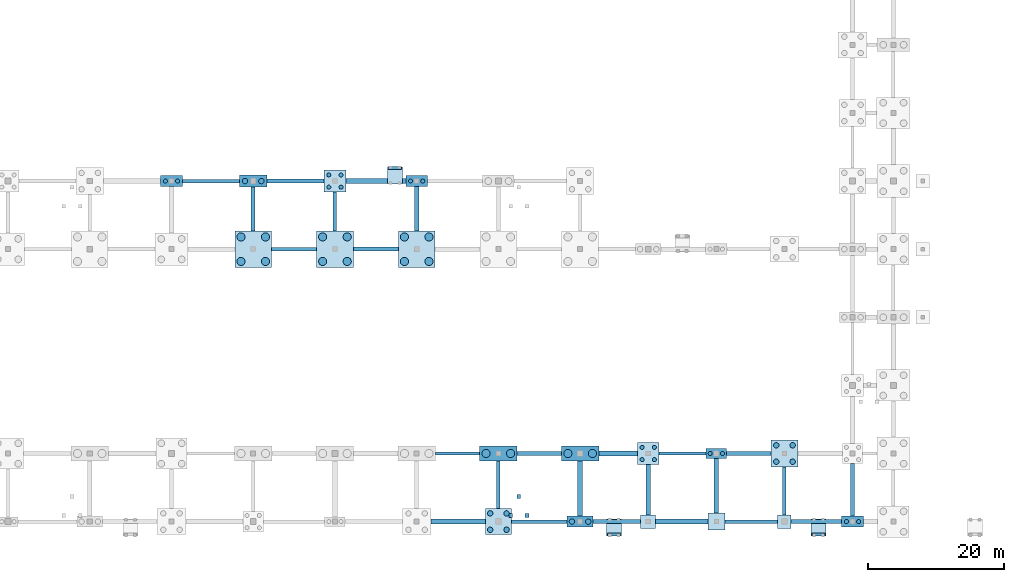
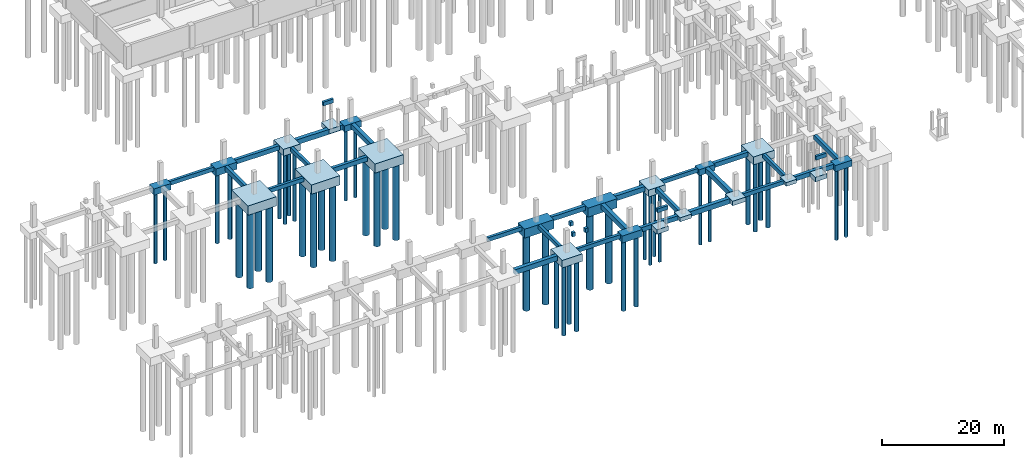
# One storey, part 2 of 19: 52 footings, 44 piles.
"""IFC4 building model written with IfcOpenShell, lengths in metres."""

from ifc_helpers import new_model, si_unit, direction, frame, origin, origin_2d, place, context, subcontext, project, spatial, polyline, rectangle, circle, outline, extrude, material, material_profile, profile_set, type_object, element, save


model = new_model("IFC4")

# Units and contexts
model_context = context("Model", 3, precision=1e-05, world=origin(), true_north=direction((0.0, 1.0)))
body_context = subcontext(model_context, "Body", "Model", "MODEL_VIEW")
ifc_project = project(units=[si_unit("LENGTHUNIT", "METRE"), si_unit("AREAUNIT", "SQUARE_METRE"), si_unit("VOLUMEUNIT", "CUBIC_METRE"), si_unit("PLANEANGLEUNIT", "RADIAN"), si_unit("MASSUNIT", "GRAM", prefix="KILO")], contexts=[model_context])

# Site, building, storey
site_placement = place(None, origin())
site = spatial("IfcSite", under=ifc_project, at=site_placement, CompositionType="ELEMENT")
building_placement = place(site_placement, origin())
building = spatial("IfcBuilding", under=site, at=building_placement, Name="Mersad Railyard Sports Hall", CompositionType="ELEMENT")
storey_placement = place(building_placement, frame((0.0, 0.0, -4.5)))
storey = spatial("IfcBuildingStorey", under=building, at=storey_placement, Name="B1", CompositionType="ELEMENT", Elevation=-4.5)

# Footings
ifc_material = material(Name="Concrete C40/50", Category="concrete")
footing_type_1 = type_object("IfcFootingType", Name="STR-FT-FB01", PredefinedType="FOOTING_BEAM", material=ifc_material)
footing_1_placement = place(storey_placement, frame((0.0, 0.0, -0.800048828125)))
element("IfcFooting", 1, at=footing_1_placement, inside=storey, type_object=footing_type_1, Name="Ground beam FB01-0007", PredefinedType="FOOTING_BEAM", context=body_context, shape_type="SweptSolid", body=[
    extrude(outline(polyline([(80.89990234375, 3.25), (89.10009765625, 3.25), (89.10009765625, 3.75), (80.89990234375, 3.75), (80.89990234375, 3.25)])), origin(), (0.0, 0.0, 1.0), 0.800048828125),
])
footing_2_placement = place(storey_placement, frame((0.0, 0.0, -0.800048828125)))
element("IfcFooting", 2, at=footing_2_placement, inside=storey, type_object=footing_type_1, Name="Ground beam FB01-0010", PredefinedType="FOOTING_BEAM", context=body_context, shape_type="SweptSolid", body=[
    extrude(outline(polyline([(112.25, 3.25), (120.0, 3.25), (120.0, 3.75), (112.25, 3.75), (112.25, 3.25)])), origin(), (0.0, 0.0, 1.0), 0.800048828125),
])
footing_3_placement = place(storey_placement, frame((0.0, 0.0, -0.800048828125)))
element("IfcFooting", 3, at=footing_3_placement, inside=storey, type_object=footing_type_1, Name="Ground beam FB01-0019", PredefinedType="FOOTING_BEAM", context=body_context, shape_type="SweptSolid", body=[
    extrude(outline(polyline([(69.75, 13.25), (76.25, 13.25), (76.25, 13.75), (69.75, 13.75), (69.75, 13.25)])), origin(), (0.0, 0.0, 1.0), 0.800048828125),
])
footing_4_placement = place(storey_placement, frame((0.0, 0.0, -0.800048828125)))
element("IfcFooting", 4, at=footing_4_placement, inside=storey, type_object=footing_type_1, Name="Ground beam FB01-0022", PredefinedType="FOOTING_BEAM", context=body_context, shape_type="SweptSolid", body=[
    extrude(outline(polyline([(102.60009765625, 13.25), (109.5, 13.25), (109.5, 13.75), (102.60009765625, 13.75), (102.60009765625, 13.25)])), origin(), (0.0, 0.0, 1.0), 0.800048828125),
])
footing_5_placement = place(storey_placement, frame((0.0, 0.0, -0.800048828125)))
element("IfcFooting", 5, at=footing_5_placement, inside=storey, type_object=footing_type_1, Name="Ground beam FB01-0034", PredefinedType="FOOTING_BEAM", context=body_context, shape_type="SweptSolid", body=[
    extrude(outline(polyline([(45.699951171875, 43.25), (52.300048828125, 43.25), (52.300048828125, 43.75), (45.699951171875, 43.75), (45.699951171875, 43.25)])), origin(), (0.0, 0.0, 1.0), 0.800048828125),
])
footing_6_placement = place(storey_placement, frame((0.0, 0.0, -0.800048828125)))
element("IfcFooting", 6, at=footing_6_placement, inside=storey, type_object=footing_type_1, Name="Ground beam FB01-0046", PredefinedType="FOOTING_BEAM", context=body_context, shape_type="SweptSolid", body=[
    extrude(outline(polyline([(32.60009765625, 53.25), (41.0, 53.25), (41.0, 53.75), (32.60009765625, 53.75), (32.60009765625, 53.25)])), origin(), (0.0, 0.0, 1.0), 0.800048828125),
])
footing_7_placement = place(storey_placement, frame((0.0, 0.0, -0.800048828125)))
element("IfcFooting", 7, at=footing_7_placement, inside=storey, type_object=footing_type_1, Name="Ground beam FB01-0118", PredefinedType="FOOTING_BEAM", context=body_context, shape_type="SweptSolid", body=[
    extrude(outline(polyline([(54.75, 46.199951171875), (55.25, 46.199951171875), (55.25, 51.89990234375), (54.75, 51.89990234375), (54.75, 46.199951171875)])), origin(), (0.0, 0.0, 1.0), 0.800048828125),
])
footing_8_placement = place(storey_placement, frame((0.0, 0.0, -0.800048828125)))
element("IfcFooting", 8, at=footing_8_placement, inside=storey, type_object=footing_type_1, Name="Ground beam FB01-0127", PredefinedType="FOOTING_BEAM", context=body_context, shape_type="SweptSolid", body=[
    extrude(outline(polyline([(78.75, 5.39990234375), (79.25, 5.39990234375), (79.25, 12.39990234375), (78.75, 12.39990234375), (78.75, 5.39990234375)])), origin(), (0.0, 0.0, 1.0), 0.800048828125),
])
footing_9_placement = place(storey_placement, frame((0.0, 0.0, -0.800048828125)))
element("IfcFooting", 9, at=footing_9_placement, inside=storey, type_object=footing_type_1, Name="Ground beam FB01-0145", PredefinedType="FOOTING_BEAM", context=body_context, shape_type="SweptSolid", body=[
    extrude(outline(polyline([(120.75, 4.5), (121.25, 4.5), (121.25, 11.5), (120.75, 11.5), (120.75, 4.5)])), origin(), (0.0, 0.0, 1.0), 0.800048828125),
])
footing_type_2 = type_object("IfcFootingType", Name="STR-FT-FB02", PredefinedType="FOOTING_BEAM", material=ifc_material)
footing_10_placement = place(storey_placement, frame((0.0, 0.0, -0.89990234375)))
element("IfcFooting", 10, at=footing_10_placement, inside=storey, type_object=footing_type_2, Name="Ground beam FB02-0008", PredefinedType="FOOTING_BEAM", context=body_context, shape_type="SweptSolid", body=[
    extrude(outline(polyline([(92.89990234375, 3.199951171875), (99.89990234375, 3.199951171875), (99.89990234375, 3.800048828125), (92.89990234375, 3.800048828125), (92.89990234375, 3.199951171875)])), origin(), (0.0, 0.0, 1.0), 0.89990234375),
])
footing_11_placement = place(storey_placement, frame((0.0, 0.0, -0.89990234375)))
element("IfcFooting", 11, at=footing_11_placement, inside=storey, type_object=footing_type_2, Name="Ground beam FB02-0011", PredefinedType="FOOTING_BEAM", context=body_context, shape_type="SweptSolid", body=[
    extrude(outline(polyline([(122.0, 3.199951171875), (129.39990234375, 3.199951171875), (129.39990234375, 3.800048828125), (122.0, 3.800048828125), (122.0, 3.199951171875)])), origin(), (0.0, 0.0, 1.0), 0.89990234375),
])
footing_12_placement = place(storey_placement, frame((0.0, 0.0, -0.89990234375)))
element("IfcFooting", 12, at=footing_12_placement, inside=storey, type_object=footing_type_2, Name="Ground beam FB02-0020", PredefinedType="FOOTING_BEAM", context=body_context, shape_type="SweptSolid", body=[
    extrude(outline(polyline([(81.75, 13.199951171875), (88.25, 13.199951171875), (88.25, 13.800048828125), (81.75, 13.800048828125), (81.75, 13.199951171875)])), origin(), (0.0, 0.0, 1.0), 0.89990234375),
])
footing_13_placement = place(storey_placement, frame((0.0, 0.0, -0.89990234375)))
element("IfcFooting", 13, at=footing_13_placement, inside=storey, type_object=footing_type_2, Name="Ground beam FB02-0023", PredefinedType="FOOTING_BEAM", context=body_context, shape_type="SweptSolid", body=[
    extrude(outline(polyline([(112.5, 13.199951171875), (119.0, 13.199951171875), (119.0, 13.800048828125), (112.5, 13.800048828125), (112.5, 13.199951171875)])), origin(), (0.0, 0.0, 1.0), 0.89990234375),
])
footing_14_placement = place(storey_placement, frame((0.0, 0.0, -0.89990234375)))
element("IfcFooting", 14, at=footing_14_placement, inside=storey, type_object=footing_type_2, Name="Ground beam FB02-0035", PredefinedType="FOOTING_BEAM", context=body_context, shape_type="SweptSolid", body=[
    extrude(outline(polyline([(57.699951171875, 43.199951171875), (64.300048828125, 43.199951171875), (64.300048828125, 43.800048828125), (57.699951171875, 43.800048828125), (57.699951171875, 43.199951171875)])), origin(), (0.0, 0.0, 1.0), 0.89990234375),
])
footing_15_placement = place(storey_placement, frame((0.0, 0.0, -0.89990234375)))
element("IfcFooting", 15, at=footing_15_placement, inside=storey, type_object=footing_type_2, Name="Ground beam FB02-0047", PredefinedType="FOOTING_BEAM", context=body_context, shape_type="SweptSolid", body=[
    extrude(outline(polyline([(45.0, 53.199951171875), (53.39990234375, 53.199951171875), (53.39990234375, 53.800048828125), (45.0, 53.800048828125), (45.0, 53.199951171875)])), origin(), (0.0, 0.0, 1.0), 0.89990234375),
])
footing_16_placement = place(storey_placement, frame((0.0, 0.0, -0.89990234375)))
element("IfcFooting", 16, at=footing_16_placement, inside=storey, type_object=footing_type_2, Name="Ground beam FB02-0113", PredefinedType="FOOTING_BEAM", context=body_context, shape_type="SweptSolid", body=[
    extrude(outline(polyline([(42.699951171875, 46.199951171875), (43.300048828125, 46.199951171875), (43.300048828125, 52.60009765625), (42.699951171875, 52.60009765625), (42.699951171875, 46.199951171875)])), origin(), (0.0, 0.0, 1.0), 0.89990234375),
])
footing_17_placement = place(storey_placement, frame((0.0, 0.0, -0.89990234375)))
element("IfcFooting", 17, at=footing_17_placement, inside=storey, type_object=footing_type_2, Name="Ground beam FB02-0137", PredefinedType="FOOTING_BEAM", context=body_context, shape_type="SweptSolid", body=[
    extrude(outline(polyline([(100.699951171875, 4.5), (101.300048828125, 4.5), (101.300048828125, 11.89990234375), (100.699951171875, 11.89990234375), (100.699951171875, 4.5)])), origin(), (0.0, 0.0, 1.0), 0.89990234375),
])
footing_18_placement = place(storey_placement, frame((0.0, 0.0, -0.89990234375)))
element("IfcFooting", 18, at=footing_18_placement, inside=storey, type_object=footing_type_2, Name="Ground beam FB02-0149", PredefinedType="FOOTING_BEAM", context=body_context, shape_type="SweptSolid", body=[
    extrude(outline(polyline([(130.699951171875, 4.300048828125), (131.300048828125, 4.300048828125), (131.300048828125, 12.0), (130.699951171875, 12.0), (130.699951171875, 4.300048828125)])), origin(), (0.0, 0.0, 1.0), 0.89990234375),
])
footing_type_3 = type_object("IfcFootingType", Name="STR-FT-FB03", PredefinedType="FOOTING_BEAM", material=ifc_material)
footing_19_placement = place(storey_placement, frame((0.0, 0.0, -1.0)))
element("IfcFooting", 19, at=footing_19_placement, inside=storey, type_object=footing_type_3, Name="Ground beam FB03-0006", PredefinedType="FOOTING_BEAM", context=body_context, shape_type="SweptSolid", body=[
    extrude(outline(polyline([(69.10009765625, 3.14990234375), (77.10009765625, 3.14990234375), (77.10009765625, 3.85009765625), (69.10009765625, 3.85009765625), (69.10009765625, 3.14990234375)])), origin(), (0.0, 0.0, 1.0), 1.0),
])
footing_20_placement = place(storey_placement, frame((0.0, 0.0, -1.0)))
element("IfcFooting", 20, at=footing_20_placement, inside=storey, type_object=footing_type_3, Name="Ground beam FB03-0009", PredefinedType="FOOTING_BEAM", context=body_context, shape_type="SweptSolid", body=[
    extrude(outline(polyline([(102.10009765625, 3.14990234375), (109.75, 3.14990234375), (109.75, 3.85009765625), (102.10009765625, 3.85009765625), (102.10009765625, 3.14990234375)])), origin(), (0.0, 0.0, 1.0), 1.0),
])
footing_21_placement = place(storey_placement, frame((0.0, 0.0, -1.0)))
element("IfcFooting", 21, at=footing_21_placement, inside=storey, type_object=footing_type_3, Name="Ground beam FB03-0021", PredefinedType="FOOTING_BEAM", context=body_context, shape_type="SweptSolid", body=[
    extrude(outline(polyline([(93.75, 13.14990234375), (99.39990234375, 13.14990234375), (99.39990234375, 13.85009765625), (93.75, 13.85009765625), (93.75, 13.14990234375)])), origin(), (0.0, 0.0, 1.0), 1.0),
])
footing_22_placement = place(storey_placement, frame((0.0, 0.0, -1.0)))
element("IfcFooting", 22, at=footing_22_placement, inside=storey, type_object=footing_type_3, Name="Ground beam FB03-0048", PredefinedType="FOOTING_BEAM", context=body_context, shape_type="SweptSolid", body=[
    extrude(outline(polyline([(56.60009765625, 53.14990234375), (65.39990234375, 53.14990234375), (65.39990234375, 53.85009765625), (56.60009765625, 53.85009765625), (56.60009765625, 53.14990234375)])), origin(), (0.0, 0.0, 1.0), 1.0),
])
footing_23_placement = place(storey_placement, frame((0.0, 0.0, -1.0)))
element("IfcFooting", 23, at=footing_23_placement, inside=storey, type_object=footing_type_3, Name="Ground beam FB03-0123", PredefinedType="FOOTING_BEAM", context=body_context, shape_type="SweptSolid", body=[
    extrude(outline(polyline([(66.64990234375, 46.199951171875), (67.35009765625, 46.199951171875), (67.35009765625, 52.699951171875), (66.64990234375, 52.699951171875), (66.64990234375, 46.199951171875)])), origin(), (0.0, 0.0, 1.0), 1.0),
])
footing_24_placement = place(storey_placement, frame((0.0, 0.0, -1.0)))
element("IfcFooting", 24, at=footing_24_placement, inside=storey, type_object=footing_type_3, Name="Ground beam FB03-0132", PredefinedType="FOOTING_BEAM", context=body_context, shape_type="SweptSolid", body=[
    extrude(outline(polyline([(90.64990234375, 4.300048828125), (91.35009765625, 4.300048828125), (91.35009765625, 12.39990234375), (90.64990234375, 12.39990234375), (90.64990234375, 4.300048828125)])), origin(), (0.0, 0.0, 1.0), 1.0),
])
footing_25_placement = place(storey_placement, frame((0.0, 0.0, -1.0)))
element("IfcFooting", 25, at=footing_25_placement, inside=storey, type_object=footing_type_3, Name="Ground beam FB03-0141", PredefinedType="FOOTING_BEAM", context=body_context, shape_type="SweptSolid", body=[
    extrude(outline(polyline([(110.64990234375, 4.75), (111.35009765625, 4.75), (111.35009765625, 12.800048828125), (110.64990234375, 12.800048828125), (110.64990234375, 4.75)])), origin(), (0.0, 0.0, 1.0), 1.0),
])
footing_type_4 = type_object("IfcFootingType", Name="STR-FT-PC01", PredefinedType="PILE_CAP", material=ifc_material)
footing_26_placement = place(storey_placement, frame((111.0, 13.5, -1.2001953125), z_axis=(0.0, 0.0, 1.0), x_axis=(1.0, 0.0, 0.0)))
element("IfcFooting", 26, at=footing_26_placement, inside=storey, type_object=footing_type_4, Name="Pile cap PC01 at (111.0,13.5)", PredefinedType="PILE_CAP", context=body_context, shape_type="SweptSolid", body=[
    extrude(rectangle(XDim=3.0, YDim=1.39990234375, at=origin_2d()), origin(), (0.0, 0.0, 1.0), 1.199951171875),
])
footing_type_5 = type_object("IfcFootingType", Name="STR-FT-PC02", PredefinedType="PILE_CAP", material=ifc_material)
for number, where, z_axis, x_axis, name in (
    (27, (31.0, 53.5, -1.25), (0.0, 0.0, 1.0), (1.0, 0.0, 0.0), "Pile cap PC02 at (31.0,53.5)"),
    (28, (67.0, 53.5, -1.25), (0.0, 0.0, 1.0), (1.0, 0.0, 0.0), "Pile cap PC02 at (67.0,53.5)"),
    (29, (131.0, 3.5, -1.25), (0.0, 0.0, 1.0), (1.0, 0.0, 0.0), "Pile cap PC02 at (131.0,3.5)"),
):
    element("IfcFooting", number, at=place(storey_placement, frame(where, z_axis=z_axis, x_axis=x_axis)), inside=storey, type_object=footing_type_5, Name=name, PredefinedType="PILE_CAP", context=body_context, shape_type="SweptSolid", body=[
        extrude(rectangle(XDim=3.199951171875, YDim=1.60009765625, at=origin_2d()), origin(), (0.0, 0.0, 1.0), 1.25),
    ])
footing_type_6 = type_object("IfcFootingType", Name="STR-FT-PC04", PredefinedType="PILE_CAP", material=ifc_material)
for number, where, z_axis, x_axis, name in (
    (30, (55.0, 53.5, -1.35009765625), (0.0, 0.0, 1.0), (1.0, 0.0, 0.0), "Pile cap PC04 at (55.0,53.5)"),
    (31, (101.0, 13.5, -1.35009765625), (0.0, 0.0, 1.0), (1.0, 0.0, 0.0), "Pile cap PC04 at (101.0,13.5)"),
):
    element("IfcFooting", number, at=place(storey_placement, frame(where, z_axis=z_axis, x_axis=x_axis)), inside=storey, type_object=footing_type_6, Name=name, PredefinedType="PILE_CAP", context=body_context, shape_type="SweptSolid", body=[
        extrude(rectangle(XDim=3.199951171875, YDim=3.199951171875, at=origin_2d()), origin(), (0.0, 0.0, 1.0), 1.35009765625),
    ])
footing_type_7 = type_object("IfcFootingType", Name="STR-FT-PC05", PredefinedType="PILE_CAP", material=ifc_material)
footing_27_placement = place(storey_placement, frame((91.0, 3.5, -1.39990234375), z_axis=(0.0, 0.0, 1.0), x_axis=(1.0, 0.0, 0.0)))
element("IfcFooting", 32, at=footing_27_placement, inside=storey, type_object=footing_type_7, Name="Pile cap PC05 at (91.0,3.5)", PredefinedType="PILE_CAP", context=body_context, shape_type="SweptSolid", body=[
    extrude(rectangle(XDim=3.800048828125, YDim=1.60009765625, at=origin_2d()), origin(), (0.0, 0.0, 1.0), 1.39990234375),
])
footing_type_8 = type_object("IfcFootingType", Name="STR-FT-PC06", PredefinedType="PILE_CAP", material=ifc_material)
footing_28_placement = place(storey_placement, frame((43.0, 53.5, -1.4501953125), z_axis=(0.0, 0.0, 1.0), x_axis=(1.0, 0.0, 0.0)))
element("IfcFooting", 33, at=footing_28_placement, inside=storey, type_object=footing_type_8, Name="Pile cap PC06 at (43.0,53.5)", PredefinedType="PILE_CAP", context=body_context, shape_type="SweptSolid", body=[
    extrude(rectangle(XDim=4.0, YDim=1.800048828125, at=origin_2d()), origin(), (0.0, 0.0, 1.0), 1.449951171875),
])
footing_type_9 = type_object("IfcFootingType", Name="STR-FT-PC07", PredefinedType="PILE_CAP", material=ifc_material)
footing_29_placement = place(storey_placement, frame((79.0, 3.5, -1.5), z_axis=(0.0, 0.0, 1.0), x_axis=(1.0, 0.0, 0.0)))
element("IfcFooting", 34, at=footing_29_placement, inside=storey, type_object=footing_type_9, Name="Pile cap PC07 at (79.0,3.5)", PredefinedType="PILE_CAP", context=body_context, shape_type="SweptSolid", body=[
    extrude(rectangle(XDim=3.800048828125, YDim=3.800048828125, at=origin_2d()), origin(), (0.0, 0.0, 1.0), 1.5),
])
footing_type_10 = type_object("IfcFootingType", Name="STR-FT-PC08", PredefinedType="PILE_CAP", material=ifc_material)
footing_30_placement = place(storey_placement, frame((121.0, 13.5, -1.5498046875), z_axis=(0.0, 0.0, 1.0), x_axis=(1.0, 0.0, 0.0)))
element("IfcFooting", 35, at=footing_30_placement, inside=storey, type_object=footing_type_10, Name="Pile cap PC08 at (121.0,13.5)", PredefinedType="PILE_CAP", context=body_context, shape_type="SweptSolid", body=[
    extrude(rectangle(XDim=4.0, YDim=4.0, at=origin_2d()), origin(), (0.0, 0.0, 1.0), 1.550048828125),
])
footing_type_11 = type_object("IfcFootingType", Name="STR-FT-PC16", PredefinedType="PILE_CAP", material=ifc_material)
for number, where, z_axis, x_axis, name in (
    (36, (79.0, 13.5, -1.7998046875), (0.0, 0.0, 1.0), (1.0, 0.0, 0.0), "Pile cap PC16 at (79.0,13.5)"),
    (37, (91.0, 13.5, -1.7998046875), (0.0, 0.0, 1.0), (1.0, 0.0, 0.0), "Pile cap PC16 at (91.0,13.5)"),
):
    element("IfcFooting", number, at=place(storey_placement, frame(where, z_axis=z_axis, x_axis=x_axis)), inside=storey, type_object=footing_type_11, Name=name, PredefinedType="PILE_CAP", context=body_context, shape_type="SweptSolid", body=[
        extrude(rectangle(XDim=5.5, YDim=2.199951171875, at=origin_2d()), origin(), (0.0, 0.0, 1.0), 1.800048828125),
    ])
footing_type_12 = type_object("IfcFootingType", Name="STR-FT-PC17", PredefinedType="PILE_CAP", material=ifc_material)
for number, where, z_axis, x_axis, name in (
    (38, (43.0, 43.5, -1.85009765625), (0.0, 0.0, 1.0), (1.0, 0.0, 0.0), "Pile cap PC17 at (43.0,43.5)"),
    (39, (55.0, 43.5, -1.85009765625), (0.0, 0.0, 1.0), (1.0, 0.0, 0.0), "Pile cap PC17 at (55.0,43.5)"),
    (40, (67.0, 43.5, -1.85009765625), (0.0, 0.0, 1.0), (1.0, 0.0, 0.0), "Pile cap PC17 at (67.0,43.5)"),
):
    element("IfcFooting", number, at=place(storey_placement, frame(where, z_axis=z_axis, x_axis=x_axis)), inside=storey, type_object=footing_type_12, Name=name, PredefinedType="PILE_CAP", context=body_context, shape_type="SweptSolid", body=[
        extrude(rectangle(XDim=5.39990234375, YDim=5.39990234375, at=origin_2d()), origin(), (0.0, 0.0, 1.0), 1.85009765625),
    ])
footing_type_13 = type_object("IfcFootingType", Name="STR-FT-PF01", PredefinedType="PAD_FOOTING", material=ifc_material)
for number, where, z_axis, x_axis, name in (
    (41, (96.0, 1.60009765625, 3.39990234375), (0.0, 0.0, 1.0), (1.0, 0.0, 0.0), "South arcade west accessible threshold ramp grade bed footing"),
    (42, (126.0, 1.60009765625, 3.39990234375), (0.0, 0.0, 1.0), (1.0, 0.0, 0.0), "South arcade east accessible threshold ramp grade bed footing"),
    (43, (63.800048828125, 55.39990234375, 3.39990234375), (0.0, 0.0, 1.0), (1.0, 0.0, 0.0), "Courtyard west accessible ramp grade bed footing"),
):
    element("IfcFooting", number, at=place(storey_placement, frame(where, z_axis=z_axis, x_axis=x_axis)), inside=storey, type_object=footing_type_13, Name=name, PredefinedType="PAD_FOOTING", context=body_context, shape_type="SweptSolid", body=[
        extrude(rectangle(XDim=1.949951171875, YDim=0.449951171875, at=origin_2d()), origin(), (0.0, 0.0, 1.0), 0.75),
    ])
for number, where, z_axis, x_axis, name in (
    (44, (80.800048828125, 4.39990234375, 1.9501953125), (0.0, 0.0, 1.0), (1.0, 0.0, 0.0), "Lift PL-08 pit corner pad 1"),
    (45, (83.199951171875, 4.39990234375, 1.9501953125), (0.0, 0.0, 1.0), (1.0, 0.0, 0.0), "Lift PL-08 pit corner pad 2"),
    (46, (82.0, 7.199951171875, 1.9501953125), (0.0, 0.0, 1.0), (1.0, 0.0, 0.0), "Lift PL-08 pit corner pad 3"),
):
    element("IfcFooting", number, at=place(storey_placement, frame(where, z_axis=z_axis, x_axis=x_axis)), inside=storey, type_object=footing_type_13, Name=name, PredefinedType="PAD_FOOTING", context=body_context, shape_type="SweptSolid", body=[
        extrude(rectangle(XDim=0.550048828125, YDim=0.550048828125, at=origin_2d()), origin(), (0.0, 0.0, 1.0), 0.800048828125),
    ])
footing_type_14 = type_object("IfcFootingType", Name="STR-FT-PF02", PredefinedType="PAD_FOOTING", material=ifc_material)
footing_31_placement = place(storey_placement, frame((121.0, 3.5, -0.75), z_axis=(0.0, 0.0, 1.0), x_axis=(1.0, 0.0, 0.0)))
element("IfcFooting", 47, at=footing_31_placement, inside=storey, type_object=footing_type_14, Name="Pad footing PF02 at (121.0,3.5)", PredefinedType="PAD_FOOTING", context=body_context, shape_type="SweptSolid", body=[
    extrude(rectangle(XDim=2.0, YDim=2.0, at=origin_2d()), origin(), (0.0, 0.0, 1.0), 0.75),
])
footing_type_15 = type_object("IfcFootingType", Name="STR-FT-PF03", PredefinedType="PAD_FOOTING", material=ifc_material)
footing_32_placement = place(storey_placement, frame((101.0, 3.5, -0.7998046875), z_axis=(0.0, 0.0, 1.0), x_axis=(1.0, 0.0, 0.0)))
element("IfcFooting", 48, at=footing_32_placement, inside=storey, type_object=footing_type_15, Name="Pad footing PF03 at (101.0,3.5)", PredefinedType="PAD_FOOTING", context=body_context, shape_type="SweptSolid", body=[
    extrude(rectangle(XDim=2.199951171875, YDim=2.0, at=origin_2d()), origin(), (0.0, 0.0, 1.0), 0.800048828125),
])
footing_type_16 = type_object("IfcFootingType", Name="STR-FT-PF05", PredefinedType="PAD_FOOTING", material=ifc_material)
footing_33_placement = place(storey_placement, frame((111.0, 3.5, -0.89990234375), z_axis=(0.0, 0.0, 1.0), x_axis=(1.0, 0.0, 0.0)))
element("IfcFooting", 49, at=footing_33_placement, inside=storey, type_object=footing_type_16, Name="Pad footing PF05 at (111.0,3.5)", PredefinedType="PAD_FOOTING", context=body_context, shape_type="SweptSolid", body=[
    extrude(rectangle(XDim=2.5, YDim=2.5, at=origin_2d()), origin(), (0.0, 0.0, 1.0), 0.89990234375),
])
for number, where, z_axis, x_axis, name in (
    (50, (96.0, 2.64990234375, -0.89990234375), (0.0, 0.0, 1.0), (1.0, 0.0, 0.0), "South arcade west accessible threshold ramp foundation pad"),
    (51, (126.0, 2.64990234375, -0.89990234375), (0.0, 0.0, 1.0), (1.0, 0.0, 0.0), "South arcade east accessible threshold ramp foundation pad"),
    (52, (63.800048828125, 54.35009765625, -0.89990234375), (0.0, 0.0, 1.0), (1.0, 0.0, 0.0), "Courtyard west accessible ramp foundation pad"),
):
    element("IfcFooting", number, at=place(storey_placement, frame(where, z_axis=z_axis, x_axis=x_axis)), inside=storey, type_object=footing_type_16, Name=name, PredefinedType="PAD_FOOTING", context=body_context, shape_type="SweptSolid", body=[
        extrude(rectangle(XDim=2.199951171875, YDim=2.5, at=origin_2d()), origin(), (0.0, 0.0, 1.0), 0.89990234375),
    ])

# Piles
ifc_material_profile_1 = material_profile(ifc_material, circle(Radius=0.60009765625, at=origin_2d()), Name="BORED PILE D1200")
ifc_profile_set_1 = profile_set([ifc_material_profile_1], Name="Concrete C40/50")
pile_type_1 = type_object("IfcPileType", Name="STR-PL-P1200", PredefinedType="BORED", material=ifc_profile_set_1)
for number, where, z_axis, x_axis, name in (
    (53, (41.199951171875, 41.699951171875, -1.699951171875), (0.0, 0.0, -1.0), (1.0, 0.0, 0.0), "Bored pile PL04-0047"),
    (54, (44.800048828125, 41.699951171875, -1.699951171875), (0.0, 0.0, -1.0), (1.0, 0.0, 0.0), "Bored pile PL04-0048"),
    (55, (41.199951171875, 45.300048828125, -1.699951171875), (0.0, 0.0, -1.0), (1.0, 0.0, 0.0), "Bored pile PL04-0049"),
    (56, (44.800048828125, 45.300048828125, -1.699951171875), (0.0, 0.0, -1.0), (1.0, 0.0, 0.0), "Bored pile PL04-0050"),
    (57, (53.199951171875, 41.699951171875, -1.699951171875), (0.0, 0.0, -1.0), (1.0, 0.0, 0.0), "Bored pile PL04-0071"),
    (58, (56.800048828125, 41.699951171875, -1.699951171875), (0.0, 0.0, -1.0), (1.0, 0.0, 0.0), "Bored pile PL04-0072"),
    (59, (53.199951171875, 45.300048828125, -1.699951171875), (0.0, 0.0, -1.0), (1.0, 0.0, 0.0), "Bored pile PL04-0073"),
    (60, (56.800048828125, 45.300048828125, -1.699951171875), (0.0, 0.0, -1.0), (1.0, 0.0, 0.0), "Bored pile PL04-0074"),
    (61, (65.199951171875, 41.699951171875, -1.699951171875), (0.0, 0.0, -1.0), (1.0, 0.0, 0.0), "Bored pile PL04-0097"),
    (62, (68.800048828125, 41.699951171875, -1.699951171875), (0.0, 0.0, -1.0), (1.0, 0.0, 0.0), "Bored pile PL04-0098"),
    (63, (65.199951171875, 45.300048828125, -1.699951171875), (0.0, 0.0, -1.0), (1.0, 0.0, 0.0), "Bored pile PL04-0099"),
    (64, (68.800048828125, 45.300048828125, -1.699951171875), (0.0, 0.0, -1.0), (1.0, 0.0, 0.0), "Bored pile PL04-0100"),
):
    element("IfcPile", number, at=place(storey_placement, frame(where, z_axis=z_axis, x_axis=x_axis)), inside=storey, type_object=pile_type_1, Name=name, PredefinedType="BORED", context=body_context, shape_type="SweptSolid", body=[
        extrude(circle(Radius=0.60009765625, at=origin_2d()), origin(), (0.0, 0.0, 1.0), 15.300048828125),
    ])
for number, where, z_axis, x_axis, name in (
    (65, (77.199951171875, 13.5, -1.64990234375), (0.0, 0.0, -1.0), (1.0, 0.0, 0.0), "Bored pile PL04-0121"),
    (66, (80.800048828125, 13.5, -1.64990234375), (0.0, 0.0, -1.0), (1.0, 0.0, 0.0), "Bored pile PL04-0122"),
    (67, (89.199951171875, 13.5, -1.64990234375), (0.0, 0.0, -1.0), (1.0, 0.0, 0.0), "Bored pile PL04-0145"),
    (68, (92.800048828125, 13.5, -1.64990234375), (0.0, 0.0, -1.0), (1.0, 0.0, 0.0), "Bored pile PL04-0146"),
):
    element("IfcPile", number, at=place(storey_placement, frame(where, z_axis=z_axis, x_axis=x_axis)), inside=storey, type_object=pile_type_1, Name=name, PredefinedType="BORED", context=body_context, shape_type="SweptSolid", body=[
        extrude(circle(Radius=0.60009765625, at=origin_2d()), origin(), (0.0, 0.0, 1.0), 15.35009765625),
    ])
ifc_material_profile_2 = material_profile(ifc_material, circle(Radius=0.300048828125, at=origin_2d()), Name="BORED PILE D600")
ifc_profile_set_2 = profile_set([ifc_material_profile_2], Name="Concrete C40/50")
pile_type_2 = type_object("IfcPileType", Name="STR-PL-P600", PredefinedType="BORED", material=ifc_profile_set_2)
for number, where, z_axis, x_axis, name in (
    (69, (30.10009765625, 53.5, -1.10009765625), (0.0, 0.0, -1.0), (1.0, 0.0, 0.0), "Bored pile PL01-0039"),
    (70, (31.89990234375, 53.5, -1.10009765625), (0.0, 0.0, -1.0), (1.0, 0.0, 0.0), "Bored pile PL01-0040"),
):
    element("IfcPile", number, at=place(storey_placement, frame(where, z_axis=z_axis, x_axis=x_axis)), inside=storey, type_object=pile_type_2, Name=name, PredefinedType="BORED", context=body_context, shape_type="SweptSolid", body=[
        extrude(circle(Radius=0.300048828125, at=origin_2d()), origin(), (0.0, 0.0, 1.0), 14.39990234375),
    ])
for number, where, z_axis, x_axis, name in (
    (71, (54.10009765625, 52.60009765625, -1.199951171875), (0.0, 0.0, -1.0), (1.0, 0.0, 0.0), "Bored pile PL01-0075"),
    (72, (55.89990234375, 52.60009765625, -1.199951171875), (0.0, 0.0, -1.0), (1.0, 0.0, 0.0), "Bored pile PL01-0076"),
    (73, (54.10009765625, 54.39990234375, -1.199951171875), (0.0, 0.0, -1.0), (1.0, 0.0, 0.0), "Bored pile PL01-0077"),
    (74, (55.89990234375, 54.39990234375, -1.199951171875), (0.0, 0.0, -1.0), (1.0, 0.0, 0.0), "Bored pile PL01-0078"),
):
    element("IfcPile", number, at=place(storey_placement, frame(where, z_axis=z_axis, x_axis=x_axis)), inside=storey, type_object=pile_type_2, Name=name, PredefinedType="BORED", context=body_context, shape_type="SweptSolid", body=[
        extrude(circle(Radius=0.300048828125, at=origin_2d()), origin(), (0.0, 0.0, 1.0), 14.300048828125),
    ])
for number, where, z_axis, x_axis, name in (
    (75, (66.10009765625, 53.5, -1.10009765625), (0.0, 0.0, -1.0), (1.0, 0.0, 0.0), "Bored pile PL01-0101"),
    (76, (67.89990234375, 53.5, -1.10009765625), (0.0, 0.0, -1.0), (1.0, 0.0, 0.0), "Bored pile PL01-0102"),
):
    element("IfcPile", number, at=place(storey_placement, frame(where, z_axis=z_axis, x_axis=x_axis)), inside=storey, type_object=pile_type_2, Name=name, PredefinedType="BORED", context=body_context, shape_type="SweptSolid", body=[
        extrude(circle(Radius=0.300048828125, at=origin_2d()), origin(), (0.0, 0.0, 1.0), 14.39990234375),
    ])
for number, where, z_axis, x_axis, name in (
    (77, (100.10009765625, 12.60009765625, -1.199951171875), (0.0, 0.0, -1.0), (1.0, 0.0, 0.0), "Bored pile PL01-0169"),
    (78, (101.89990234375, 12.60009765625, -1.199951171875), (0.0, 0.0, -1.0), (1.0, 0.0, 0.0), "Bored pile PL01-0170"),
    (79, (100.10009765625, 14.39990234375, -1.199951171875), (0.0, 0.0, -1.0), (1.0, 0.0, 0.0), "Bored pile PL01-0171"),
    (80, (101.89990234375, 14.39990234375, -1.199951171875), (0.0, 0.0, -1.0), (1.0, 0.0, 0.0), "Bored pile PL01-0172"),
):
    element("IfcPile", number, at=place(storey_placement, frame(where, z_axis=z_axis, x_axis=x_axis)), inside=storey, type_object=pile_type_2, Name=name, PredefinedType="BORED", context=body_context, shape_type="SweptSolid", body=[
        extrude(circle(Radius=0.300048828125, at=origin_2d()), origin(), (0.0, 0.0, 1.0), 14.300048828125),
    ])
for number, where, z_axis, x_axis, name in (
    (81, (110.10009765625, 13.5, -1.050048828125), (0.0, 0.0, -1.0), (1.0, 0.0, 0.0), "Bored pile PL01-0189"),
    (82, (111.89990234375, 13.5, -1.050048828125), (0.0, 0.0, -1.0), (1.0, 0.0, 0.0), "Bored pile PL01-0190"),
):
    element("IfcPile", number, at=place(storey_placement, frame(where, z_axis=z_axis, x_axis=x_axis)), inside=storey, type_object=pile_type_2, Name=name, PredefinedType="BORED", context=body_context, shape_type="SweptSolid", body=[
        extrude(circle(Radius=0.300048828125, at=origin_2d()), origin(), (0.0, 0.0, 1.0), 14.449951171875),
    ])
for number, where, z_axis, x_axis, name in (
    (83, (130.10009765625, 3.5, -1.10009765625), (0.0, 0.0, -1.0), (1.0, 0.0, 0.0), "Bored pile PL01-0227"),
    (84, (131.89990234375, 3.5, -1.10009765625), (0.0, 0.0, -1.0), (1.0, 0.0, 0.0), "Bored pile PL01-0228"),
):
    element("IfcPile", number, at=place(storey_placement, frame(where, z_axis=z_axis, x_axis=x_axis)), inside=storey, type_object=pile_type_2, Name=name, PredefinedType="BORED", context=body_context, shape_type="SweptSolid", body=[
        extrude(circle(Radius=0.300048828125, at=origin_2d()), origin(), (0.0, 0.0, 1.0), 14.39990234375),
    ])
ifc_material_profile_3 = material_profile(ifc_material, circle(Radius=0.39990234375, at=origin_2d()), Name="BORED PILE D800")
ifc_profile_set_3 = profile_set([ifc_material_profile_3], Name="Concrete C40/50")
pile_type_3 = type_object("IfcPileType", Name="STR-PL-P800", PredefinedType="BORED", material=ifc_profile_set_3)
for number, where, z_axis, x_axis, name in (
    (85, (41.800048828125, 53.5, -1.300048828125), (0.0, 0.0, -1.0), (1.0, 0.0, 0.0), "Bored pile PL02-0051"),
    (86, (44.199951171875, 53.5, -1.300048828125), (0.0, 0.0, -1.0), (1.0, 0.0, 0.0), "Bored pile PL02-0052"),
):
    element("IfcPile", number, at=place(storey_placement, frame(where, z_axis=z_axis, x_axis=x_axis)), inside=storey, type_object=pile_type_3, Name=name, PredefinedType="BORED", context=body_context, shape_type="SweptSolid", body=[
        extrude(circle(Radius=0.39990234375, at=origin_2d()), origin(), (0.0, 0.0, 1.0), 14.199951171875),
    ])
for number, where, z_axis, x_axis, name in (
    (87, (77.800048828125, 2.300048828125, -1.35009765625), (0.0, 0.0, -1.0), (1.0, 0.0, 0.0), "Bored pile PL02-0117"),
    (88, (80.199951171875, 2.300048828125, -1.35009765625), (0.0, 0.0, -1.0), (1.0, 0.0, 0.0), "Bored pile PL02-0118"),
    (89, (77.800048828125, 4.699951171875, -1.35009765625), (0.0, 0.0, -1.0), (1.0, 0.0, 0.0), "Bored pile PL02-0119"),
    (90, (80.199951171875, 4.699951171875, -1.35009765625), (0.0, 0.0, -1.0), (1.0, 0.0, 0.0), "Bored pile PL02-0120"),
):
    element("IfcPile", number, at=place(storey_placement, frame(where, z_axis=z_axis, x_axis=x_axis)), inside=storey, type_object=pile_type_3, Name=name, PredefinedType="BORED", context=body_context, shape_type="SweptSolid", body=[
        extrude(circle(Radius=0.39990234375, at=origin_2d()), origin(), (0.0, 0.0, 1.0), 14.14990234375),
    ])
for number, where, z_axis, x_axis, name in (
    (91, (89.800048828125, 3.5, -1.25), (0.0, 0.0, -1.0), (1.0, 0.0, 0.0), "Bored pile PL02-0143"),
    (92, (92.199951171875, 3.5, -1.25), (0.0, 0.0, -1.0), (1.0, 0.0, 0.0), "Bored pile PL02-0144"),
):
    element("IfcPile", number, at=place(storey_placement, frame(where, z_axis=z_axis, x_axis=x_axis)), inside=storey, type_object=pile_type_3, Name=name, PredefinedType="BORED", context=body_context, shape_type="SweptSolid", body=[
        extrude(circle(Radius=0.39990234375, at=origin_2d()), origin(), (0.0, 0.0, 1.0), 14.25),
    ])
for number, where, z_axis, x_axis, name in (
    (93, (119.800048828125, 12.300048828125, -1.39990234375), (0.0, 0.0, -1.0), (1.0, 0.0, 0.0), "Bored pile PL02-0207"),
    (94, (122.199951171875, 12.300048828125, -1.39990234375), (0.0, 0.0, -1.0), (1.0, 0.0, 0.0), "Bored pile PL02-0208"),
    (95, (119.800048828125, 14.699951171875, -1.39990234375), (0.0, 0.0, -1.0), (1.0, 0.0, 0.0), "Bored pile PL02-0209"),
    (96, (122.199951171875, 14.699951171875, -1.39990234375), (0.0, 0.0, -1.0), (1.0, 0.0, 0.0), "Bored pile PL02-0210"),
):
    element("IfcPile", number, at=place(storey_placement, frame(where, z_axis=z_axis, x_axis=x_axis)), inside=storey, type_object=pile_type_3, Name=name, PredefinedType="BORED", context=body_context, shape_type="SweptSolid", body=[
        extrude(circle(Radius=0.39990234375, at=origin_2d()), origin(), (0.0, 0.0, 1.0), 14.10009765625),
    ])

save(model, "model.ifc")
